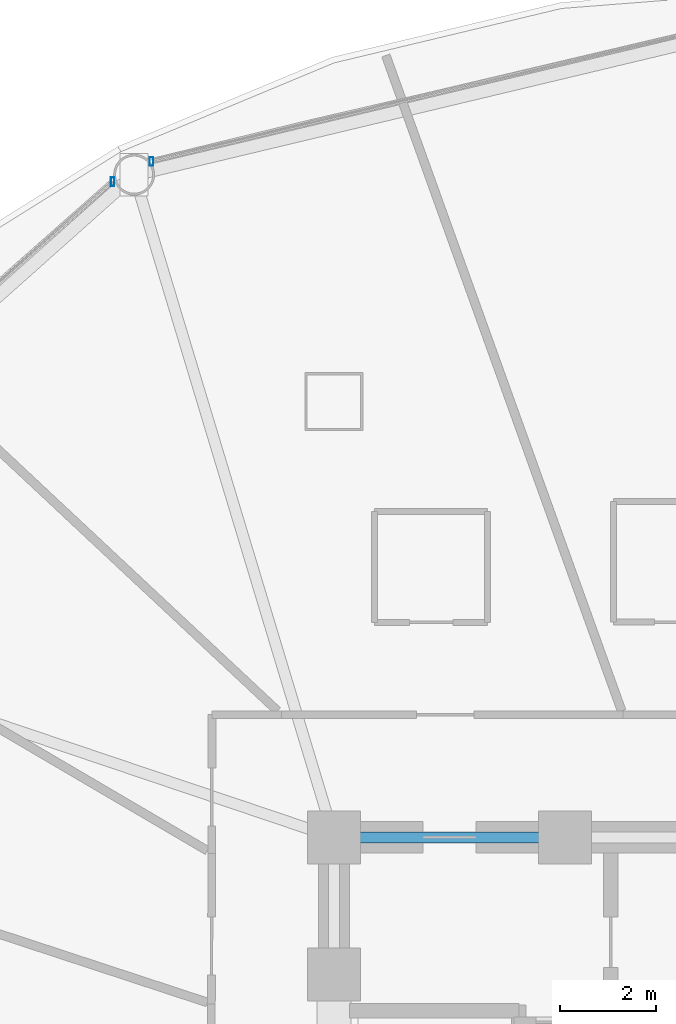
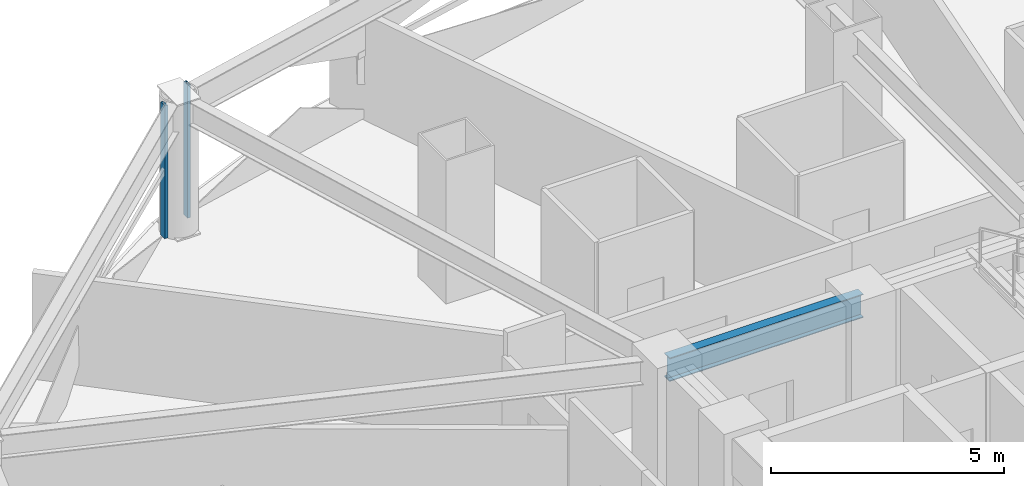
# One storey, part 15 of 30: 2 members, 1 beam, 2 elements without a shape of their own.
"""IFC4 building model written with IfcOpenShell, lengths in metres."""

from ifc_helpers import new_model, si_unit, direction, frame, origin, origin_2d, place, context, subcontext, project, spatial, hollow_rectangle, i_section, extrude, material, layer, layer_set, material_profile, profile_set, type_object, element, aggregate, save


model = new_model("IFC4")

# Units and contexts
model_context = context("Model", 3, precision=1e-05, world=origin(), true_north=direction((0.0, 1.0)))
body_context = subcontext(model_context, "Body", "Model", "MODEL_VIEW")
ifc_project = project(units=[si_unit("LENGTHUNIT", "METRE"), si_unit("AREAUNIT", "SQUARE_METRE"), si_unit("VOLUMEUNIT", "CUBIC_METRE"), si_unit("PLANEANGLEUNIT", "RADIAN"), si_unit("MASSUNIT", "GRAM", prefix="KILO")], contexts=[model_context])

# Site, building, storey
site_placement = place(None, origin())
site = spatial("IfcSite", under=ifc_project, at=site_placement, CompositionType="ELEMENT")
building_placement = place(site_placement, origin())
building = spatial("IfcBuilding", under=site, at=building_placement, Name="Vantalir Tower", CompositionType="ELEMENT")
storey_placement = place(building_placement, frame((0.0, 0.0, 83.25)))
storey = spatial("IfcBuildingStorey", under=building, at=storey_placement, Name="L20", CompositionType="ELEMENT", Elevation=83.25)

# Beam
ifc_material_1 = material(Name="Steel S355", Category="steel")
ifc_material_profile_1 = material_profile(ifc_material_1, i_section(OverallWidth=0.22998046875, OverallDepth=0.616943359375, WebThickness=0.01318359375, FlangeThickness=0.022216796875, at=origin_2d()), Name="Steel S355")
ifc_profile_set_1 = profile_set([ifc_material_profile_1], Name="Steel S355")
beam_type = type_object("IfcBeamType", Name="BM-RB-610x229", PredefinedType="BEAM", material=ifc_profile_set_1)
beam_placement = place(storey_placement, frame((26.699951171875, 32.449951171875, 3.261962890625), z_axis=(-1.0, 0.0, 0.0), x_axis=(0.0, -1.0, 0.0)))
element("IfcBeam", 1, at=beam_placement, inside=storey, type_object=beam_type, Name="L20 Core Coupling Girder 11", PredefinedType="BEAM", context=body_context, shape_type="SweptSolid", body=[
    extrude(i_section(OverallWidth=0.22998046875, OverallDepth=0.616943359375, WebThickness=0.01318359375, FlangeThickness=0.022216796875, at=origin_2d()), origin(), (0.0, 0.0, 1.0), 4.800048828125),
])

# Curtain wall, member
ifc_material_2 = material(Name="Champagne-silver PVDF aluminium and double-silver Low-E glass", Category="aluminium")
ifc_layer = layer(ifc_material_2, 0.18994140625)
ifc_layer_set = layer_set([ifc_layer], Name="Champagne-silver PVDF aluminium and double-silver Low-E glass")
curtain_wall_type = type_object("IfcCurtainWallType", Name="CW-DIAMOND-Z1", PredefinedType="USERDEFINED", material=ifc_layer_set)
curtain_wall_1_placement = place(storey_placement, origin())
curtain_wall_1 = element("IfcCurtainWall", 2, at=curtain_wall_1_placement, inside=storey, type_object=curtain_wall_type, Name="L20 Quilted Pyramid-Diamond Curtain Wall S04", ObjectType="UNITISED CURTAIN WALL", PredefinedType="USERDEFINED")
ifc_material_3 = material(Name="Champagne-silver PVDF aluminium 6063-T6", Category="aluminium")
ifc_material_profile_2 = material_profile(ifc_material_3, hollow_rectangle(XDim=0.074951171875, YDim=0.179931640625, WallThickness=0.00390625, at=origin_2d()), Name="Champagne-silver PVDF aluminium 6063-T6")
ifc_profile_set_2 = profile_set([ifc_material_profile_2], Name="Champagne-silver PVDF aluminium 6063-T6")
member_type = type_object("IfcMemberType", Name="CWM-180x75", PredefinedType="MULLION", material=ifc_profile_set_2)
member_1_placement = place(storey_placement, frame((18.112060546875, 46.487060546875, 0.044921875), z_axis=(0.0, 0.0, 1.0), x_axis=(1.0, 0.0, 0.0)))
member_1 = element("IfcMember", 3, at=member_1_placement, type_object=member_type, Name="CW-L20-S04 Mullion 2", PredefinedType="MULLION", context=body_context, shape_type="SweptSolid", body=[
    extrude(hollow_rectangle(XDim=0.074951171875, YDim=0.179931640625, WallThickness=0.00390625, at=origin_2d()), origin(), (0.0, 0.0, 1.0), 3.47998046875),
])
aggregate(curtain_wall_1, [member_1])

curtain_wall_2_placement = place(storey_placement, origin())
curtain_wall_2 = element("IfcCurtainWall", 4, at=curtain_wall_2_placement, inside=storey, type_object=curtain_wall_type, Name="L20 Quilted Pyramid-Diamond Curtain Wall S05", ObjectType="UNITISED CURTAIN WALL", PredefinedType="USERDEFINED")
member_2_placement = place(storey_placement, frame((17.303955078125, 46.06494140625, 0.044921875), z_axis=(0.0, 0.0, 1.0), x_axis=(1.0, 0.0, 0.0)))
member_2 = element("IfcMember", 5, at=member_2_placement, type_object=member_type, Name="CW-L20-S05 Mullion 1", PredefinedType="MULLION", context=body_context, shape_type="SweptSolid", body=[
    extrude(hollow_rectangle(XDim=0.074951171875, YDim=0.179931640625, WallThickness=0.00390625, at=origin_2d()), origin(), (0.0, 0.0, 1.0), 3.47998046875),
])
aggregate(curtain_wall_2, [member_2])

save(model, "model.ifc")
